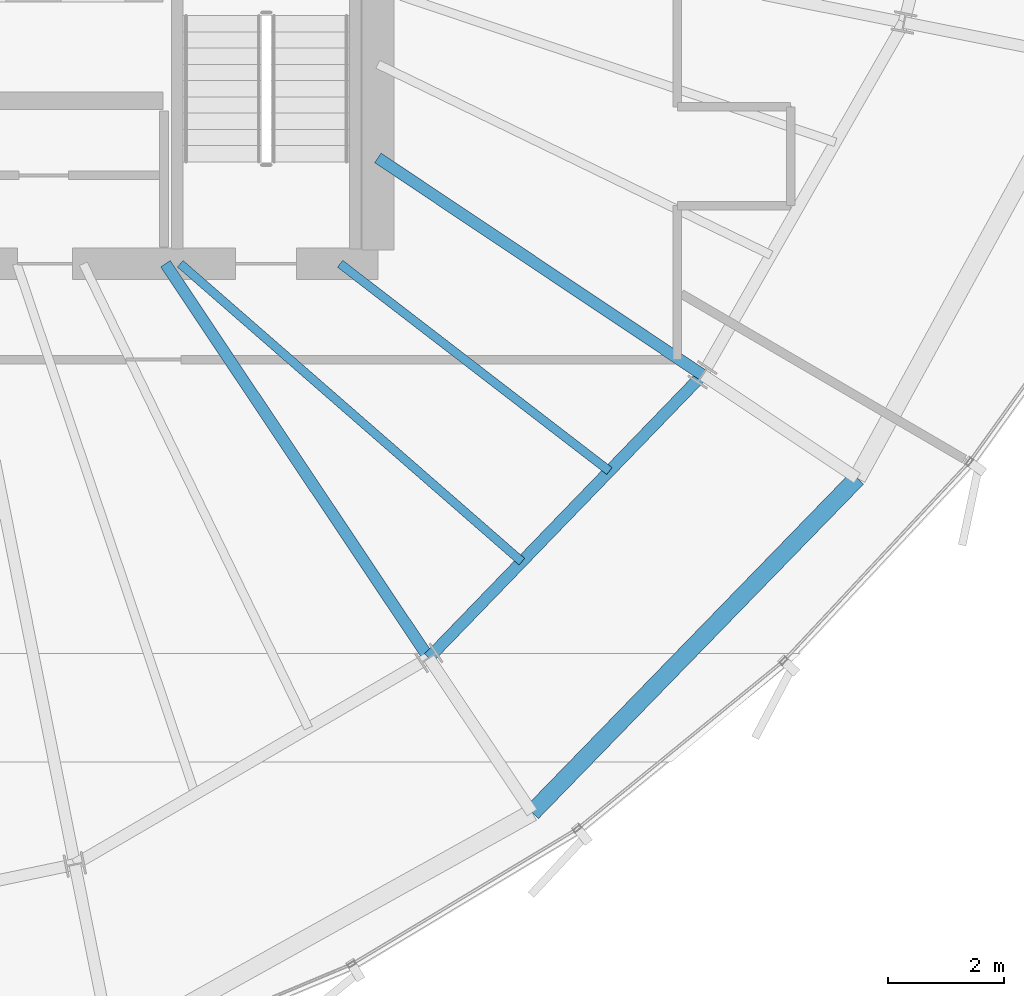
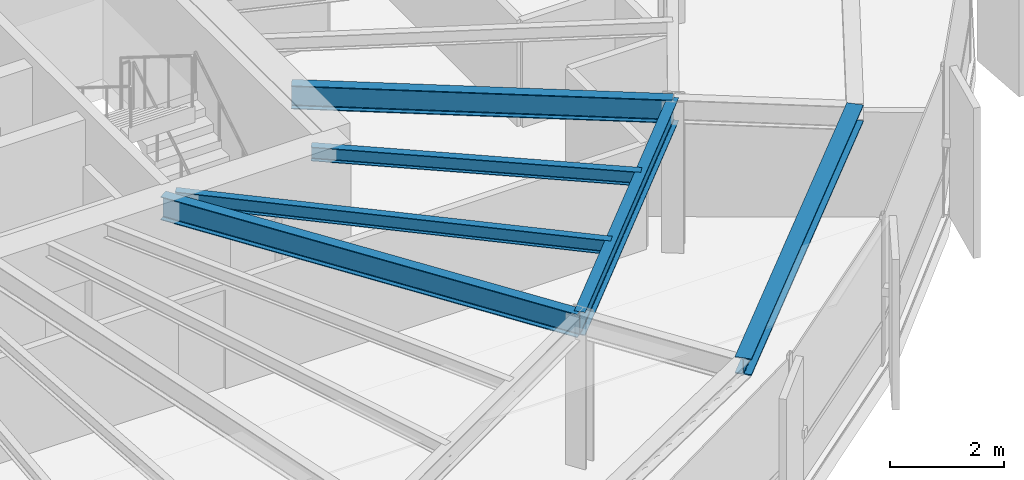
# One storey, part 14 of 36: 6 beams.
"""IFC4 building model written with IfcOpenShell, lengths in metres."""

from ifc_helpers import new_model, si_unit, direction, frame, origin, origin_2d, place, context, subcontext, project, spatial, i_section, extrude, source, transform, mapped, material, material_profile, profile_set, type_object, element, save


model = new_model("IFC4")

# Units and contexts
model_context = context("Model", 3, precision=1e-05, world=origin(), true_north=direction((0.0, 1.0)))
body_context = subcontext(model_context, "Body", "Model", "MODEL_VIEW")
ifc_project = project(units=[si_unit("LENGTHUNIT", "METRE"), si_unit("AREAUNIT", "SQUARE_METRE"), si_unit("VOLUMEUNIT", "CUBIC_METRE"), si_unit("PLANEANGLEUNIT", "RADIAN"), si_unit("MASSUNIT", "GRAM", prefix="KILO"), si_unit("THERMODYNAMICTEMPERATUREUNIT", "KELVIN")], contexts=[model_context])

# Site, building, storey
site_placement = place(None, origin())
site = spatial("IfcSite", under=ifc_project, at=site_placement, CompositionType="ELEMENT")
building_placement = place(site_placement, origin())
building = spatial("IfcBuilding", under=site, at=building_placement, Name="Kethvar Cultural Tower", CompositionType="ELEMENT")
storey_placement = place(building_placement, frame((0.0, 0.0, 176.39990234375)))
storey = spatial("IfcBuildingStorey", under=building, at=storey_placement, Name="L45", CompositionType="ELEMENT", Elevation=176.39990234375)

# Beams
ifc_material = material(Name="Steel S355J2", Category="steel")
ifc_material_profile_1 = material_profile(ifc_material, i_section(OverallWidth=0.199951171875, OverallDepth=0.5, WebThickness=0.01025390625, FlangeThickness=0.01611328125, FilletRadius=0.02099609375, at=origin_2d()), Name="Steel S355J2 — IPE500")
ifc_profile_set_1 = profile_set([ifc_material_profile_1], Name="Steel S355J2 — IPE500")
beam_type_1 = type_object("IfcBeamType", Name="BM-IPE500", PredefinedType="BEAM", material=ifc_profile_set_1)
shared_shape_1 = source(origin(), body_context, "Body", "SweptSolid", [
    extrude(i_section(OverallWidth=0.199951171875, OverallDepth=0.5, WebThickness=0.01025390625, FlangeThickness=0.01611328125, FilletRadius=0.02099609375, at=origin_2d()), origin(), (0.0, 0.0, 1.0), 8.1533203125),
])
beam_1_placement = place(storey_placement, frame((51.945068359375, 20.10009765625, 3.008056640625), z_axis=(0.555549853936, -0.831483228809, 0.0), x_axis=(0.831483228809, 0.555549853936, 0.0)))
element("IfcBeam", 1, at=beam_1_placement, inside=storey, type_object=beam_type_1, Name="L45 Primary Radial Beam RB-14", PredefinedType="BEAM", context=body_context, shape_type="MappedRepresentation", body=[
    mapped(shared_shape_1, transform((0.0, 0.0, 0.0), scale=1.0)),
])
shared_shape_2 = source(origin(), body_context, "Body", "SweptSolid", [
    extrude(i_section(OverallWidth=0.199951171875, OverallDepth=0.5, WebThickness=0.01025390625, FlangeThickness=0.01611328125, FilletRadius=0.02099609375, at=origin_2d()), origin(), (0.0, 0.0, 1.0), 6.7138671875),
])
beam_2_placement = place(storey_placement, frame((55.60009765625, 21.919921875, 3.008056640625), z_axis=(0.831479232731, -0.555555834762, 0.0), x_axis=(0.555555834762, 0.831479232731, 0.0)))
element("IfcBeam", 2, at=beam_2_placement, inside=storey, type_object=beam_type_1, Name="L45 Primary Radial Beam RB-15", PredefinedType="BEAM", context=body_context, shape_type="MappedRepresentation", body=[
    mapped(shared_shape_2, transform((0.0, 0.0, 0.0), scale=1.0)),
])
shared_shape_3 = source(origin(), body_context, "Body", "SweptSolid", [
    extrude(i_section(OverallWidth=0.199951171875, OverallDepth=0.5, WebThickness=0.01025390625, FlangeThickness=0.01611328125, FilletRadius=0.02099609375, at=origin_2d()), origin(), (0.0, 0.0, 1.0), 6.77294921875),
])
beam_3_placement = place(storey_placement, frame((56.474609375, 13.32080078125, 3.008056640625), z_axis=(0.695111533644, 0.718901909717, 0.0), x_axis=(-0.718901909717, 0.695111533644, 0.0)))
element("IfcBeam", 3, at=beam_3_placement, inside=storey, type_object=beam_type_1, Name="L45 Column Ring Tie Beam CR-14", PredefinedType="BEAM", context=body_context, shape_type="MappedRepresentation", body=[
    mapped(shared_shape_3, transform((0.0, 0.0, 0.0), scale=1.0)),
])
ifc_material_profile_2 = material_profile(ifc_material, i_section(OverallWidth=0.300048828125, OverallDepth=0.360107421875, WebThickness=0.012451171875, FlangeThickness=0.0224609375, FilletRadius=0.027099609375, at=origin_2d()), Name="Steel S355J2 — HEB360")
ifc_profile_set_2 = profile_set([ifc_material_profile_2], Name="Steel S355J2 — HEB360")
beam_type_2 = type_object("IfcBeamType", Name="BM-SP360", PredefinedType="SPANDREL", material=ifc_profile_set_2)
shared_shape_4 = source(origin(), body_context, "Body", "SweptSolid", [
    extrude(i_section(OverallWidth=0.300048828125, OverallDepth=0.360107421875, WebThickness=0.012451171875, FlangeThickness=0.0224609375, FilletRadius=0.027099609375, at=origin_2d()), origin(), (0.0, 0.0, 1.0), 8.021240234375),
])
beam_4_placement = place(storey_placement, frame((58.25244140625, 10.66015625, 3.078125), z_axis=(0.696991461782, 0.71707942531, 0.0), x_axis=(-0.71707942531, 0.696991461782, 0.0)))
element("IfcBeam", 4, at=beam_4_placement, inside=storey, type_object=beam_type_2, Name="L45 Perimeter Spandrel Beam SP-14", PredefinedType="SPANDREL", context=body_context, shape_type="MappedRepresentation", body=[
    mapped(shared_shape_4, transform((0.0, 0.0, 0.0), scale=1.0)),
])
ifc_material_profile_3 = material_profile(ifc_material, i_section(OverallWidth=0.14990234375, OverallDepth=0.300048828125, WebThickness=0.007080078125, FlangeThickness=0.0107421875, FilletRadius=0.014892578125, at=origin_2d()), Name="Steel S355J2 — IPE300")
ifc_profile_set_3 = profile_set([ifc_material_profile_3], Name="Steel S355J2 — IPE300")
beam_type_3 = type_object("IfcBeamType", Name="BM-J300", PredefinedType="JOIST", material=ifc_profile_set_3)
shared_shape_5 = source(origin(), body_context, "Body", "SweptSolid", [
    extrude(i_section(OverallWidth=0.14990234375, OverallDepth=0.300048828125, WebThickness=0.007080078125, FlangeThickness=0.0107421875, FilletRadius=0.014892578125, at=origin_2d()), origin(), (0.0, 0.0, 1.0), 7.7958984375),
])
beam_5_placement = place(storey_placement, frame((52.199951171875, 20.10009765625, 3.108154296875), z_axis=(0.753673681644, -0.657248797335, 0.0), x_axis=(0.657248797335, 0.753673681644, 0.0)))
element("IfcBeam", 5, at=beam_5_placement, inside=storey, type_object=beam_type_3, Name="L45 Composite Floor Joist J-14A", PredefinedType="JOIST", context=body_context, shape_type="MappedRepresentation", body=[
    mapped(shared_shape_5, transform((0.0, 0.0, 0.0), scale=1.0)),
])
shared_shape_6 = source(origin(), body_context, "Body", "SweptSolid", [
    extrude(i_section(OverallWidth=0.14990234375, OverallDepth=0.300048828125, WebThickness=0.007080078125, FlangeThickness=0.0107421875, FilletRadius=0.014892578125, at=origin_2d()), origin(), (0.0, 0.0, 1.0), 5.84521484375),
])
beam_6_placement = place(storey_placement, frame((54.949951171875, 20.10009765625, 3.108154296875), z_axis=(0.792398798307, -0.610003397073, 0.0), x_axis=(0.610003397073, 0.792398798307, 0.0)))
element("IfcBeam", 6, at=beam_6_placement, inside=storey, type_object=beam_type_3, Name="L45 Composite Floor Joist J-14B", PredefinedType="JOIST", context=body_context, shape_type="MappedRepresentation", body=[
    mapped(shared_shape_6, transform((0.0, 0.0, 0.0), scale=1.0)),
])

save(model, "model.ifc")
